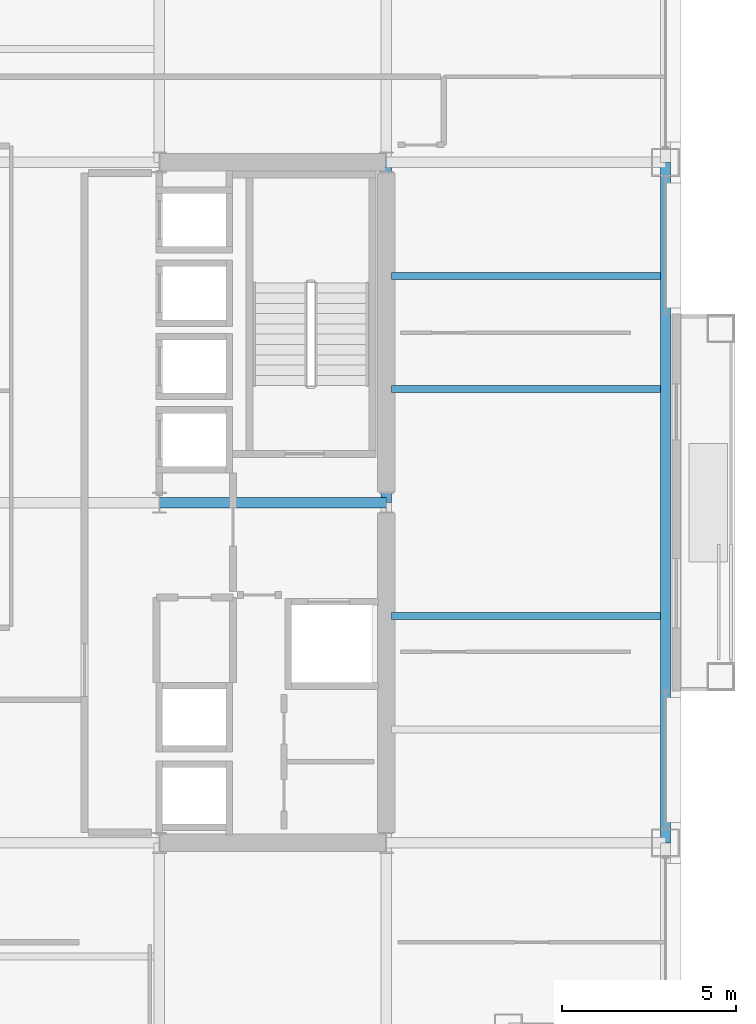
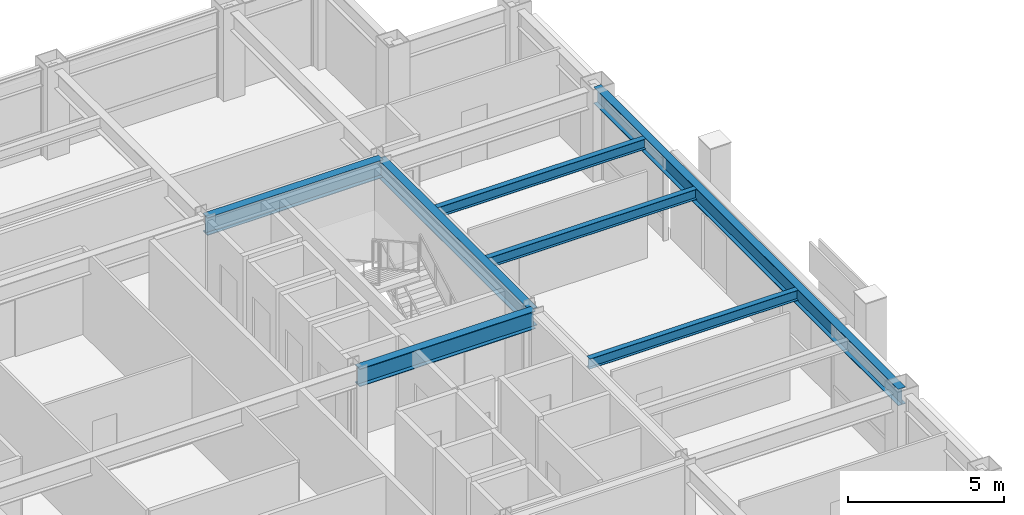
# One storey, part 15 of 29: 7 beams.
"""IFC4 building model written with IfcOpenShell, lengths in metres."""

from ifc_helpers import new_model, si_unit, direction, frame, origin, origin_2d, place, context, subcontext, project, spatial, i_section, extrude, material, material_profile, profile_set, type_object, element, save


model = new_model("IFC4")

# Units and contexts
model_context = context("Model", 3, precision=1e-05, world=origin(), true_north=direction((0.0, 1.0)))
body_context = subcontext(model_context, "Body", "Model", "MODEL_VIEW")
ifc_project = project(units=[si_unit("LENGTHUNIT", "METRE"), si_unit("AREAUNIT", "SQUARE_METRE"), si_unit("VOLUMEUNIT", "CUBIC_METRE"), si_unit("PLANEANGLEUNIT", "RADIAN"), si_unit("MASSUNIT", "GRAM", prefix="KILO")], contexts=[model_context])

# Site, building, storey
site_placement = place(None, origin())
site = spatial("IfcSite", under=ifc_project, at=site_placement, CompositionType="ELEMENT")
building_placement = place(site_placement, origin())
building = spatial("IfcBuilding", under=site, at=building_placement, Name="Brelmoor Portico Tower", CompositionType="ELEMENT")
storey_placement = place(building_placement, frame((0.0, 0.0, 127.800048828125)))
storey = spatial("IfcBuildingStorey", under=building, at=storey_placement, Name="L33", CompositionType="ELEMENT", Elevation=127.800048828125)

# Beams
ifc_material = material(Name="Steel Q355B", Category="steel")
ifc_material_profile_1 = material_profile(ifc_material, i_section(OverallWidth=0.199951171875, OverallDepth=0.39990234375, WebThickness=0.008056640625, FlangeThickness=0.012939453125, at=origin_2d()), Name="HN 400x200x8x13")
ifc_profile_set_1 = profile_set([ifc_material_profile_1], Name="Steel Q355B")
beam_type_1 = type_object("IfcBeamType", Name="BM-JS-400", PredefinedType="JOIST", material=ifc_profile_set_1)
for number, where, z_axis, x_axis, name in (
    (1, (14.699951171875, -3.25, 3.199951171875), (1.0, 0.0, 0.0), (0.0, 1.0, 0.0), "L33 Secondary Wing Joist JS-E10"),
    (2, (14.699951171875, 3.25, 3.199951171875), (1.0, 0.0, 0.0), (0.0, 1.0, 0.0), "L33 Secondary Wing Joist JS-E11"),
    (3, (14.699951171875, 6.5, 3.199951171875), (1.0, 0.0, 0.0), (0.0, 1.0, 0.0), "L33 Secondary Wing Joist JS-E12"),
):
    element("IfcBeam", number, at=place(storey_placement, frame(where, z_axis=z_axis, x_axis=x_axis)), inside=storey, type_object=beam_type_1, Name=name, PredefinedType="JOIST", context=body_context, shape_type="SweptSolid", body=[
        extrude(i_section(OverallWidth=0.199951171875, OverallDepth=0.39990234375, WebThickness=0.008056640625, FlangeThickness=0.012939453125, at=origin_2d()), origin(), (0.0, 0.0, 1.0), 7.7099609375),
    ])
ifc_material_profile_2 = material_profile(ifc_material, i_section(OverallWidth=0.300048828125, OverallDepth=0.699951171875, WebThickness=0.012939453125, FlangeThickness=0.02392578125, at=origin_2d()), Name="HN 700x300x13x24")
ifc_profile_set_2 = profile_set([ifc_material_profile_2], Name="Steel Q355B")
beam_type_2 = type_object("IfcBeamType", Name="BM-PG-700", PredefinedType="BEAM", material=ifc_profile_set_2)
beam_1_placement = place(storey_placement, frame((14.550048828125, 0.0, 3.050048828125), z_axis=(0.0, 1.0, 0.0), x_axis=(-1.0, 0.0, 0.0)))
element("IfcBeam", 4, at=beam_1_placement, inside=storey, type_object=beam_type_2, Name="L33 Primary Floor Girder PG-12", PredefinedType="BEAM", context=body_context, shape_type="SweptSolid", body=[
    extrude(i_section(OverallWidth=0.300048828125, OverallDepth=0.699951171875, WebThickness=0.012939453125, FlangeThickness=0.02392578125, at=origin_2d()), origin(), (0.0, 0.0, 1.0), 9.75),
])
for number, where, z_axis, x_axis, name in (
    (5, (8.050048828125, 0.0, 3.050048828125), (1.0, 0.0, 0.0), (0.0, 1.0, 0.0), "L33 Primary Floor Girder PG-21"),
    (6, (8.050048828125, 9.75, 3.050048828125), (1.0, 0.0, 0.0), (0.0, 1.0, 0.0), "L33 Primary Floor Girder PG-25"),
):
    element("IfcBeam", number, at=place(storey_placement, frame(where, z_axis=z_axis, x_axis=x_axis)), inside=storey, type_object=beam_type_2, Name=name, PredefinedType="BEAM", context=body_context, shape_type="SweptSolid", body=[
        extrude(i_section(OverallWidth=0.300048828125, OverallDepth=0.699951171875, WebThickness=0.012939453125, FlangeThickness=0.02392578125, at=origin_2d()), origin(), (0.0, 0.0, 1.0), 6.5),
    ])
ifc_material_profile_3 = material_profile(ifc_material, i_section(OverallWidth=0.280029296875, OverallDepth=0.64990234375, WebThickness=0.012939453125, FlangeThickness=0.02197265625, at=origin_2d()), Name="HN 650x280x13x22")
ifc_profile_set_3 = profile_set([ifc_material_profile_3], Name="Steel Q355B")
beam_type_3 = type_object("IfcBeamType", Name="BM-SP-650", PredefinedType="SPANDREL", material=ifc_profile_set_3)
beam_2_placement = place(storey_placement, frame((22.550048828125, -9.75, 3.074951171875), z_axis=(0.0, 1.0, 0.0), x_axis=(-1.0, 0.0, 0.0)))
element("IfcBeam", 7, at=beam_2_placement, inside=storey, type_object=beam_type_3, Name="L33 Perimeter Spandrel Beam SP-23", PredefinedType="SPANDREL", context=body_context, shape_type="SweptSolid", body=[
    extrude(i_section(OverallWidth=0.280029296875, OverallDepth=0.64990234375, WebThickness=0.012939453125, FlangeThickness=0.02197265625, at=origin_2d()), origin(), (0.0, 0.0, 1.0), 19.5),
])

save(model, "model.ifc")
